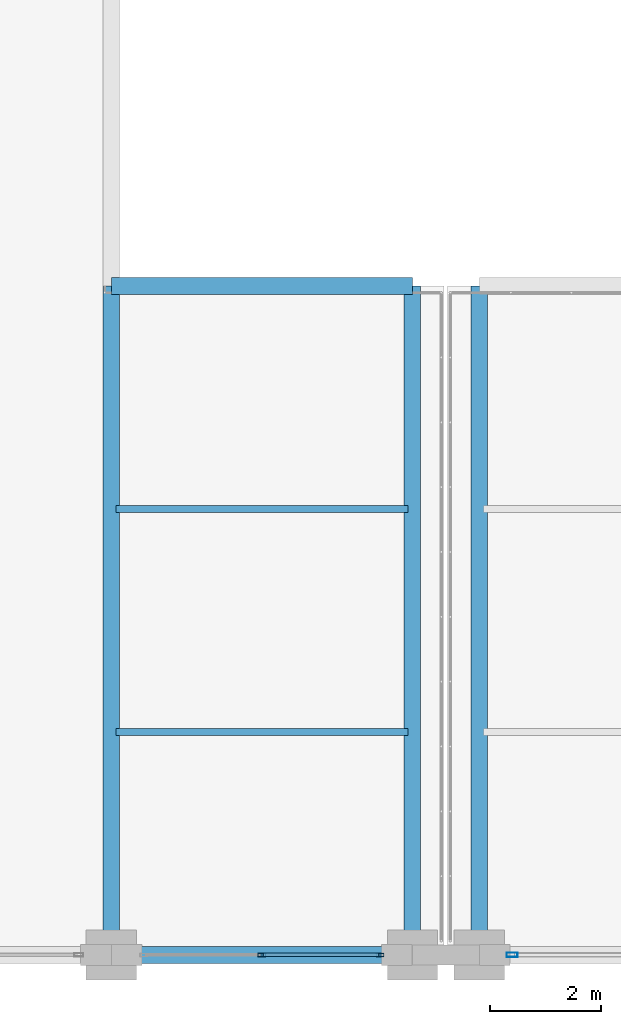
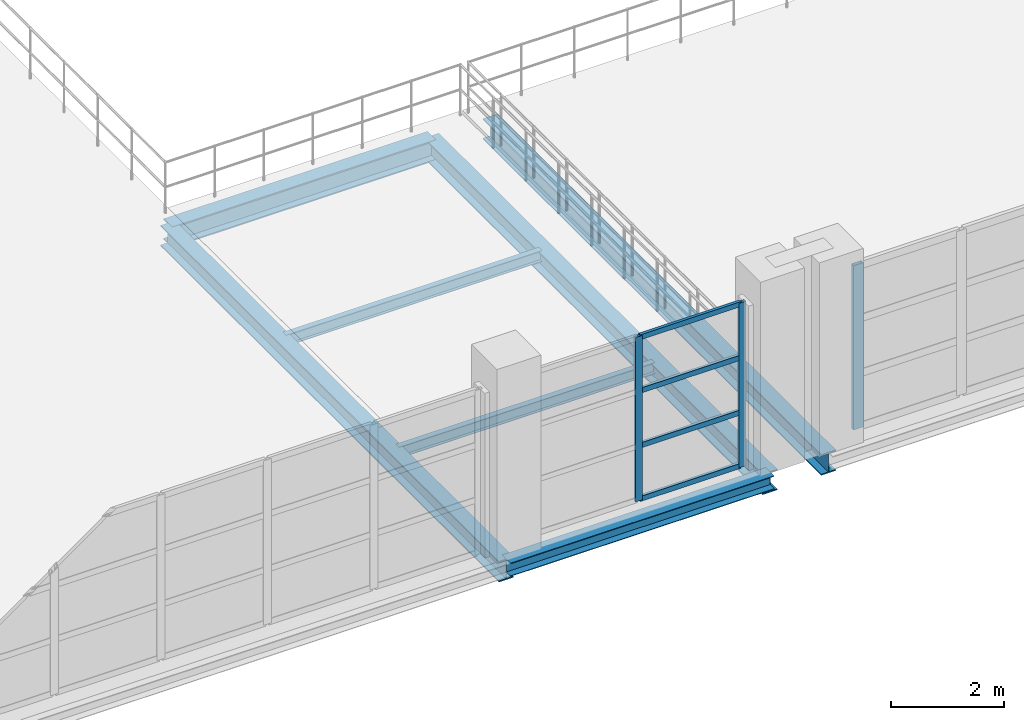
# One storey, part 47 of 158: 7 beams, 7 members, 2 elements without a shape of their own.
"""IFC4 building model written with IfcOpenShell, lengths in metres."""

import ifcopenshell
import ifcopenshell.guid

model = None  # the IFC model being written
_history = None  # IfcOwnerHistory: only IFC2X3 demands one
_inside = {}  # id of a spatial element -> (the spatial element, [elements in it])
_under = {}  # id of a project, library or spatial element -> (it, [spatial elements below it])
_declared = {}  # id of a project -> (the project, [libraries it declares])
_typed = {}  # id of a type object -> (the type object, [elements of that type])
_made_of = {}  # id of a material, layer set ... -> (it, [elements and type objects made of it])


def new_model(schema):
    """Start an empty IFC model of exactly this schema.

    Asked for "IFC4X3", IfcOpenShell would pick the latest addendum, in which some entities
    have other attributes; the version numbers below select the first issue.
    IFC2X3 requires an IfcOwnerHistory on every rooted entity: one is made here for all.
    """
    global model, _history
    if schema == "IFC4X3":
        model = ifcopenshell.file(schema_version=(4, 3, 0, 0))
    else:
        model = ifcopenshell.file(schema=schema)
    _inside.clear()
    _under.clear()
    _declared.clear()
    _typed.clear()
    _made_of.clear()
    _history = None
    if model.schema == "IFC2X3":
        org = make("IfcOrganization", Name="unknown")
        user = make(
            "IfcPersonAndOrganization",
            ThePerson=make("IfcPerson", FamilyName="unknown"),
            TheOrganization=org,
        )
        app = make(
            "IfcApplication",
            ApplicationDeveloper=org,
            Version="unknown",
            ApplicationFullName="unknown",
            ApplicationIdentifier="unknown",
        )
        _history = make(
            "IfcOwnerHistory",
            OwningUser=user,
            OwningApplication=app,
            ChangeAction="ADDED",
            CreationDate=0,
        )
    return model


def make(cls, **values):
    """One entity of the class cls with the attributes given. An attribute that is None is left unset."""
    return model.create_entity(
        cls, **{name: value for name, value in values.items() if value is not None}
    )


def rooted(cls, **values):
    """An entity with a GlobalId (a new one), such as an element, a storey or a relation."""
    return make(cls, GlobalId=ifcopenshell.guid.new(), OwnerHistory=_history, **values)


def si_unit(unit_type, name, prefix=None):
    """IfcSIUnit, for example si_unit("LENGTHUNIT", "METRE", prefix="MILLI")."""
    return make("IfcSIUnit", UnitType=unit_type, Prefix=prefix, Name=name)


def assignment(units):
    """IfcUnitAssignment: the units of a project."""
    return None if units is None else make("IfcUnitAssignment", Units=units)


def point(xyz):
    """IfcCartesianPoint."""
    return None if xyz is None else make("IfcCartesianPoint", Coordinates=xyz)


def direction(xyz):
    """IfcDirection."""
    return None if xyz is None else make("IfcDirection", DirectionRatios=xyz)


def frame(location, z_axis=None, x_axis=None):
    """IfcAxis2Placement3D, a coordinate frame: its origin and axes. An axis left out is left unset."""
    return make(
        "IfcAxis2Placement3D",
        Location=point(location),
        Axis=direction(z_axis),
        RefDirection=direction(x_axis),
    )


def frame_2d(location, x_axis=None):
    """IfcAxis2Placement2D, a coordinate frame in the plane: its origin and x axis."""
    return make(
        "IfcAxis2Placement2D", Location=point(location), RefDirection=direction(x_axis)
    )


def origin():
    """The frame at (0, 0, 0) with its axes left unset."""
    return frame((0.0, 0.0, 0.0))


def origin_2d():
    """The frame at (0, 0) in the plane with its x axis left unset."""
    return frame_2d((0.0, 0.0))


def place(relative_to, where):
    """IfcLocalPlacement: puts the frame where relative to a parent placement (None: the world)."""
    return make(
        "IfcLocalPlacement", PlacementRelTo=relative_to, RelativePlacement=where
    )


def context(
    kind, dimensions, precision=None, world=None, true_north=None, identifier=None
):
    """IfcGeometricRepresentationContext, for example the 3D "Model" context."""
    return make(
        "IfcGeometricRepresentationContext",
        ContextIdentifier=identifier,
        ContextType=kind,
        CoordinateSpaceDimension=dimensions,
        Precision=precision,
        WorldCoordinateSystem=world,
        TrueNorth=true_north,
    )


def subcontext(parent, identifier, kind, view, scale=None):
    """IfcGeometricRepresentationSubContext, for example "Body" below "Model"."""
    return make(
        "IfcGeometricRepresentationSubContext",
        ContextIdentifier=identifier,
        ContextType=kind,
        ParentContext=parent,
        TargetScale=scale,
        TargetView=view,
    )


def project(units=None, contexts=None):
    """IfcProject with its units and contexts."""
    return rooted(
        "IfcProject",
        Name="project",
        RepresentationContexts=contexts,
        UnitsInContext=assignment(units),
    )


def spatial(cls, under=None, at=None, **own):
    """A site, building, storey or space (cls), placed at a placement, below another one or the project."""
    s = rooted(cls, ObjectPlacement=at, **own)
    if under is not None:
        _under.setdefault(under.id(), (under, []))[1].append(s)
    return s


def profile(cls, at=None, kind="AREA", **sizes):
    """A parametric profile (cls). Its sizes go by their IFC names, for example OverallWidth=200.0."""
    return make(cls, ProfileType=kind, Position=at, **sizes)


def hollow_rectangle(**sizes):
    """IfcRectangleHollowProfileDef."""
    return profile("IfcRectangleHollowProfileDef", **sizes)


def i_section(**sizes):
    """IfcIShapeProfileDef."""
    return profile("IfcIShapeProfileDef", **sizes)


def extrude(swept, where, along, depth):
    """IfcExtrudedAreaSolid: the profile swept, set in the frame where, extruded along a direction by depth."""
    return make(
        "IfcExtrudedAreaSolid",
        SweptArea=swept,
        Position=where,
        ExtrudedDirection=direction(along),
        Depth=depth,
    )


def shape(context_of_items, identifier, shape_type, items):
    """IfcShapeRepresentation: the items that make up one representation, for example the "Body"."""
    return make(
        "IfcShapeRepresentation",
        ContextOfItems=context_of_items,
        RepresentationIdentifier=identifier,
        RepresentationType=shape_type,
        Items=items,
    )


def material(Name=None, Category=None):
    """IfcMaterial."""
    return make("IfcMaterial", Name=Name, Category=Category)


def layer(
    of_material, thickness, ventilated=None, Name=None, Category=None, Priority=None
):
    """IfcMaterialLayer: one layer of a wall or slab, of a material (None: an air gap)."""
    return make(
        "IfcMaterialLayer",
        Material=of_material,
        LayerThickness=thickness,
        IsVentilated=ventilated,
        Name=Name,
        Category=Category,
        Priority=Priority,
    )


def layer_set(layers, Name=None):
    """IfcMaterialLayerSet."""
    return make("IfcMaterialLayerSet", MaterialLayers=layers, LayerSetName=Name)


def material_profile(
    of_material, cross_section, Name=None, Category=None, Priority=None
):
    """IfcMaterialProfile: a cross section and its material."""
    return make(
        "IfcMaterialProfile",
        Name=Name,
        Material=of_material,
        Profile=cross_section,
        Priority=Priority,
        Category=Category,
    )


def profile_set(profiles, Name=None, composite=None):
    """IfcMaterialProfileSet."""
    return make(
        "IfcMaterialProfileSet",
        Name=Name,
        MaterialProfiles=profiles,
        CompositeProfile=composite,
    )


def made_of(thing, what):
    """Note that an element or type object is made of a material, layer set ...; save() writes the relation."""
    if what is not None:
        _made_of.setdefault(what.id(), (what, []))[1].append(thing)
    return thing


def type_object(cls, material=None, **own):
    """A type object (cls), such as IfcWallType, which elements share."""
    return made_of(rooted(cls, **own), material)


def element(
    cls,
    number,
    at=None,
    inside=None,
    cuts=None,
    type_object=None,
    material=None,
    context=None,
    identifier="Body",
    shape_type=None,
    held_by="IfcProductDefinitionShape",
    body=None,
    shapes=None,
    **own,
):
    """One element of the class cls, such as IfcWall. Its Tag is "e" and its number.

    at: its placement. inside: the storey or other place that contains it. cuts: it is an
    opening in that element (IfcRelVoidsElement). A single representation is given by context,
    identifier, shape_type and body (its items); several are given by shapes. held_by: the class
    of the entity that holds the representations. save() writes the other relations.
    """
    e = rooted(cls, Tag="e%d" % number, ObjectPlacement=at, **own)
    if body is not None:
        shapes = [shape(context, identifier, shape_type, body)]
    if shapes is not None:
        e.Representation = make(held_by, Representations=shapes)
    if inside is not None:
        _inside.setdefault(inside.id(), (inside, []))[1].append(e)
    if cuts is not None:
        rooted(
            "IfcRelVoidsElement", RelatingBuildingElement=cuts, RelatedOpeningElement=e
        )
    if type_object is not None:
        _typed.setdefault(type_object.id(), (type_object, []))[1].append(e)
    return made_of(e, material)


def aggregate(whole, parts):
    """IfcRelAggregates: a whole, such as a stair, and the parts it consists of."""
    return rooted("IfcRelAggregates", RelatingObject=whole, RelatedObjects=parts)


def save(model, path):
    """Write the relations noted so far, then the file.

    IfcRelAggregates (storeys below a building ...), IfcRelContainedInSpatialStructure (elements
    in a storey), IfcRelDefinesByType, IfcRelAssociatesMaterial and IfcRelDeclares: one each for
    every whole, place, type object, material and project.
    """
    for whole, parts in _under.values():
        aggregate(whole, parts)
    for where, things in _inside.values():
        rooted(
            "IfcRelContainedInSpatialStructure",
            RelatedElements=things,
            RelatingStructure=where,
        )
    for kind, things in _typed.values():
        rooted("IfcRelDefinesByType", RelatedObjects=things, RelatingType=kind)
    for what, things in _made_of.values():
        rooted("IfcRelAssociatesMaterial", RelatedObjects=things, RelatingMaterial=what)
    for by, libraries in _declared.values():
        rooted("IfcRelDeclares", RelatingContext=by, RelatedDefinitions=libraries)
    model.write(path)


model = new_model("IFC4")

# Units and contexts
model_context = context("Model", 3, precision=1e-05, world=origin(), true_north=direction((0.0, 1.0)))
body_context = subcontext(model_context, "Body", "Model", "MODEL_VIEW")
ifc_project = project(units=[si_unit("LENGTHUNIT", "METRE"), si_unit("AREAUNIT", "SQUARE_METRE"), si_unit("VOLUMEUNIT", "CUBIC_METRE"), si_unit("PLANEANGLEUNIT", "RADIAN"), si_unit("MASSUNIT", "GRAM", prefix="KILO")], contexts=[model_context])

# Site, building, storey
site_placement = place(None, origin())
site = spatial("IfcSite", under=ifc_project, at=site_placement, CompositionType="ELEMENT")
building_placement = place(site_placement, origin())
building = spatial("IfcBuilding", under=site, at=building_placement, Name="Zilviju Railside Exhibition Hall", CompositionType="ELEMENT")
storey_placement = place(building_placement, frame((0.0, 0.0, 4.199951171875)))
storey = spatial("IfcBuildingStorey", under=building, at=storey_placement, Name="L02", CompositionType="ELEMENT", Elevation=4.199951171875)

# Beams
ifc_material_1 = material(Name="Steel S355J2", Category="steel")
ifc_material_profile_1 = material_profile(ifc_material_1, i_section(OverallWidth=0.300048828125, OverallDepth=0.2900390625, WebThickness=0.008544921875, FlangeThickness=0.013916015625, at=origin_2d()), Name="HEA 300")
ifc_profile_set_1 = profile_set([ifc_material_profile_1], Name="Steel S355J2")
beam_type_1 = type_object("IfcBeamType", Name="BM-HEA300", PredefinedType="SPANDREL", material=ifc_profile_set_1)
beam_1_placement = place(storey_placement, frame((120.0, 0.0, -0.474853515625), z_axis=(1.0, 0.0, 0.0), x_axis=(0.0, 1.0, 0.0)))
element("IfcBeam", 1, at=beam_1_placement, inside=storey, type_object=beam_type_1, Name="Primary Girder L02 Y=0.0 (120.0..125.4)", PredefinedType="SPANDREL", context=body_context, shape_type="SweptSolid", body=[
    extrude(i_section(OverallWidth=0.300048828125, OverallDepth=0.2900390625, WebThickness=0.008544921875, FlangeThickness=0.013916015625, at=origin_2d()), origin(), (0.0, 0.0, 1.0), 5.39990234375),
])
ifc_material_profile_2 = material_profile(ifc_material_1, i_section(OverallWidth=0.300048828125, OverallDepth=0.449951171875, WebThickness=0.013916015625, FlangeThickness=0.02587890625, at=origin_2d()), Name="HEB 450")
ifc_profile_set_2 = profile_set([ifc_material_profile_2], Name="Steel S355J2")
beam_type_2 = type_object("IfcBeamType", Name="BM-HEB450", PredefinedType="BEAM", material=ifc_profile_set_2)
beam_2_placement = place(storey_placement, frame((120.0, 12.0, -0.554931640625), z_axis=(1.0, 0.0, 0.0), x_axis=(0.0, 1.0, 0.0)))
element("IfcBeam", 2, at=beam_2_placement, inside=storey, type_object=beam_type_2, Name="Primary Girder L02 Y=12.0 (120.0..125.4)", PredefinedType="BEAM", context=body_context, shape_type="SweptSolid", body=[
    extrude(i_section(OverallWidth=0.300048828125, OverallDepth=0.449951171875, WebThickness=0.013916015625, FlangeThickness=0.02587890625, at=origin_2d()), origin(), (0.0, 0.0, 1.0), 5.39990234375),
])
for number, where, z_axis, x_axis, name in (
    (3, (120.0, 0.0, -0.554931640625), (0.0, 1.0, 0.0), (-1.0, 0.0, 0.0), "Transverse Girder L02 X=120.0 (0.0..12.0)"),
    (4, (125.39990234375, 0.0, -0.554931640625), (0.0, 1.0, 0.0), (-1.0, 0.0, 0.0), "Transverse Girder L02 X=125.4 (0.0..12.0)"),
    (5, (126.60009765625, 0.0, -0.554931640625), (0.0, 1.0, 0.0), (-1.0, 0.0, 0.0), "Transverse Girder L02 X=126.6 (0.0..12.0)"),
):
    element("IfcBeam", number, at=place(storey_placement, frame(where, z_axis=z_axis, x_axis=x_axis)), inside=storey, type_object=beam_type_2, Name=name, PredefinedType="BEAM", context=body_context, shape_type="SweptSolid", body=[
        extrude(i_section(OverallWidth=0.300048828125, OverallDepth=0.449951171875, WebThickness=0.013916015625, FlangeThickness=0.02587890625, at=origin_2d()), origin(), (0.0, 0.0, 1.0), 12.0),
    ])
ifc_material_profile_3 = material_profile(ifc_material_1, i_section(OverallWidth=0.1201171875, OverallDepth=0.239990234375, WebThickness=0.006103515625, FlangeThickness=0.009765625, at=origin_2d()), Name="IPE 240")
ifc_profile_set_3 = profile_set([ifc_material_profile_3], Name="Steel S355J2")
beam_type_3 = type_object("IfcBeamType", Name="BM-IPE240", PredefinedType="JOIST", material=ifc_profile_set_3)
for number, where, z_axis, x_axis, name in (
    (6, (120.080078125, 4.0, -0.449951171875), (1.0, 0.0, 0.0), (0.0, 1.0, 0.0), "Composite Floor Joist L02 Y=4.00 (120.0..125.4)"),
    (7, (120.080078125, 8.0, -0.449951171875), (1.0, 0.0, 0.0), (0.0, 1.0, 0.0), "Composite Floor Joist L02 Y=8.00 (120.0..125.4)"),
):
    element("IfcBeam", number, at=place(storey_placement, frame(where, z_axis=z_axis, x_axis=x_axis)), inside=storey, type_object=beam_type_3, Name=name, PredefinedType="JOIST", context=body_context, shape_type="SweptSolid", body=[
        extrude(i_section(OverallWidth=0.1201171875, OverallDepth=0.239990234375, WebThickness=0.006103515625, FlangeThickness=0.009765625, at=origin_2d()), origin(), (0.0, 0.0, 1.0), 5.239990234375),
    ])

# Curtain wall, members
ifc_material_2 = material(Name="Thermally broken aluminium-steel triple-glazed curtain wall", Category="steel")
ifc_layer_1 = layer(ifc_material_2, 0.179931640625)
ifc_layer_set_1 = layer_set([ifc_layer_1], Name="Thermally broken aluminium-steel triple-glazed curtain wall")
curtain_wall_type_1 = type_object("IfcCurtainWallType", Name="CW-BAY-09", PredefinedType="USERDEFINED", material=ifc_layer_set_1)
curtain_wall_1_placement = place(storey_placement, origin())
curtain_wall_1 = element("IfcCurtainWall", 8, at=curtain_wall_1_placement, inside=storey, type_object=curtain_wall_type_1, Name="South Hall Facade Curtain Wall L02 (120..125)", ObjectType="GLAZED CURTAIN WALL", PredefinedType="USERDEFINED")
ifc_material_3 = material(Name="Thermally broken anodized aluminium mullion", Category="aluminium")
ifc_material_profile_4 = material_profile(ifc_material_3, hollow_rectangle(XDim=0.06005859375, YDim=0.139892578125, WallThickness=0.0048828125, at=origin_2d()), Name="MULLION 140x60x5")
ifc_profile_set_4 = profile_set([ifc_material_profile_4], Name="Thermally broken anodized aluminium mullion")
member_type_1 = type_object("IfcMemberType", Name="CWM-60x140", PredefinedType="MULLION", material=ifc_profile_set_4)
member_1_placement = place(storey_placement, frame((124.820068359375, 0.0, 0.0), z_axis=(0.0, 0.0, 1.0), x_axis=(0.0, -1.0, 0.0)))
member_1 = element("IfcMember", 9, at=member_1_placement, type_object=member_type_1, Name="CW-09 mullion 1", PredefinedType="MULLION", context=body_context, shape_type="SweptSolid", body=[
    extrude(hollow_rectangle(XDim=0.06005859375, YDim=0.139892578125, WallThickness=0.0048828125, at=origin_2d()), origin(), (0.0, 0.0, 1.0), 3.56005859375),
])
member_2_placement = place(storey_placement, frame((122.699951171875, 0.0, 0.0), z_axis=(0.0, 0.0, 1.0), x_axis=(0.0, -1.0, 0.0)))
member_2 = element("IfcMember", 10, at=member_2_placement, type_object=member_type_1, Name="CW-09 mullion 2", PredefinedType="MULLION", context=body_context, shape_type="SweptSolid", body=[
    extrude(hollow_rectangle(XDim=0.06005859375, YDim=0.139892578125, WallThickness=0.0048828125, at=origin_2d()), origin(), (0.0, 0.0, 1.0), 3.56005859375),
])

# Curtain wall, member
ifc_layer_2 = layer(ifc_material_2, 0.179931640625)
ifc_layer_set_2 = layer_set([ifc_layer_2], Name="Thermally broken aluminium-steel triple-glazed curtain wall")
curtain_wall_type_2 = type_object("IfcCurtainWallType", Name="CW-BAY-10", PredefinedType="USERDEFINED", material=ifc_layer_set_2)
curtain_wall_2_placement = place(storey_placement, origin())
curtain_wall_2 = element("IfcCurtainWall", 11, at=curtain_wall_2_placement, inside=storey, type_object=curtain_wall_type_2, Name="South Hall Facade Curtain Wall L02 (127..132)", ObjectType="GLAZED CURTAIN WALL", PredefinedType="USERDEFINED")
ifc_material_profile_5 = material_profile(ifc_material_3, hollow_rectangle(XDim=0.080078125, YDim=0.199951171875, WallThickness=0.0048828125, at=origin_2d()), Name="MULLION 200x80x5")
ifc_profile_set_5 = profile_set([ifc_material_profile_5], Name="Thermally broken anodized aluminium mullion")
member_type_2 = type_object("IfcMemberType", Name="CWM-80x200", PredefinedType="MULLION", material=ifc_profile_set_5)
member_3_placement = place(storey_placement, frame((127.18994140625, 0.0, 0.0), z_axis=(0.0, 0.0, 1.0), x_axis=(0.0, -1.0, 0.0)))
member_3 = element("IfcMember", 12, at=member_3_placement, type_object=member_type_2, Name="CW-10 mullion 3", PredefinedType="MULLION", context=body_context, shape_type="SweptSolid", body=[
    extrude(hollow_rectangle(XDim=0.080078125, YDim=0.199951171875, WallThickness=0.0048828125, at=origin_2d()), origin(), (0.0, 0.0, 1.0), 3.56005859375),
])
aggregate(curtain_wall_2, [member_3])

# Member
ifc_material_4 = material(Name="Thermally broken anodized aluminium transom", Category="aluminium")
ifc_material_profile_6 = material_profile(ifc_material_4, hollow_rectangle(XDim=0.06005859375, YDim=0.110107421875, WallThickness=0.0048828125, at=origin_2d()), Name="TRANSOM 110x60x5")
ifc_profile_set_6 = profile_set([ifc_material_profile_6], Name="Thermally broken anodized aluminium transom")
member_type_3 = type_object("IfcMemberType", Name="CWT-60x110", PredefinedType="USERDEFINED", material=ifc_profile_set_6)
member_4_placement = place(storey_placement, frame((124.7900390625, 0.0, 0.030029296875), z_axis=(-1.0, 0.0, 0.0), x_axis=(0.0, -1.0, 0.0)))
member_4 = element("IfcMember", 13, at=member_4_placement, type_object=member_type_3, Name="CW-09 transom 1.1", ObjectType="TRANSOM", PredefinedType="USERDEFINED", context=body_context, shape_type="SweptSolid", body=[
    extrude(hollow_rectangle(XDim=0.06005859375, YDim=0.110107421875, WallThickness=0.0048828125, at=origin_2d()), origin(), (0.0, 0.0, 1.0), 2.06005859375),
])

member_5_placement = place(storey_placement, frame((124.7900390625, 0.0, 1.18701171875), z_axis=(-1.0, 0.0, 0.0), x_axis=(0.0, -1.0, 0.0)))
member_5 = element("IfcMember", 14, at=member_5_placement, type_object=member_type_3, Name="CW-09 transom 1.2", ObjectType="TRANSOM", PredefinedType="USERDEFINED", context=body_context, shape_type="SweptSolid", body=[
    extrude(hollow_rectangle(XDim=0.06005859375, YDim=0.110107421875, WallThickness=0.0048828125, at=origin_2d()), origin(), (0.0, 0.0, 1.0), 2.06005859375),
])

member_6_placement = place(storey_placement, frame((124.7900390625, 0.0, 2.373046875), z_axis=(-1.0, 0.0, 0.0), x_axis=(0.0, -1.0, 0.0)))
member_6 = element("IfcMember", 15, at=member_6_placement, type_object=member_type_3, Name="CW-09 transom 1.3", ObjectType="TRANSOM", PredefinedType="USERDEFINED", context=body_context, shape_type="SweptSolid", body=[
    extrude(hollow_rectangle(XDim=0.06005859375, YDim=0.110107421875, WallThickness=0.0048828125, at=origin_2d()), origin(), (0.0, 0.0, 1.0), 2.06005859375),
])

member_7_placement = place(storey_placement, frame((124.7900390625, 0.0, 3.530029296875), z_axis=(-1.0, 0.0, 0.0), x_axis=(0.0, -1.0, 0.0)))
member_7 = element("IfcMember", 16, at=member_7_placement, type_object=member_type_3, Name="CW-09 transom 1.4", ObjectType="TRANSOM", PredefinedType="USERDEFINED", context=body_context, shape_type="SweptSolid", body=[
    extrude(hollow_rectangle(XDim=0.06005859375, YDim=0.110107421875, WallThickness=0.0048828125, at=origin_2d()), origin(), (0.0, 0.0, 1.0), 2.06005859375),
])

aggregate(curtain_wall_1, [member_1, member_2, member_4, member_5, member_6, member_7])

save(model, "model.ifc")
